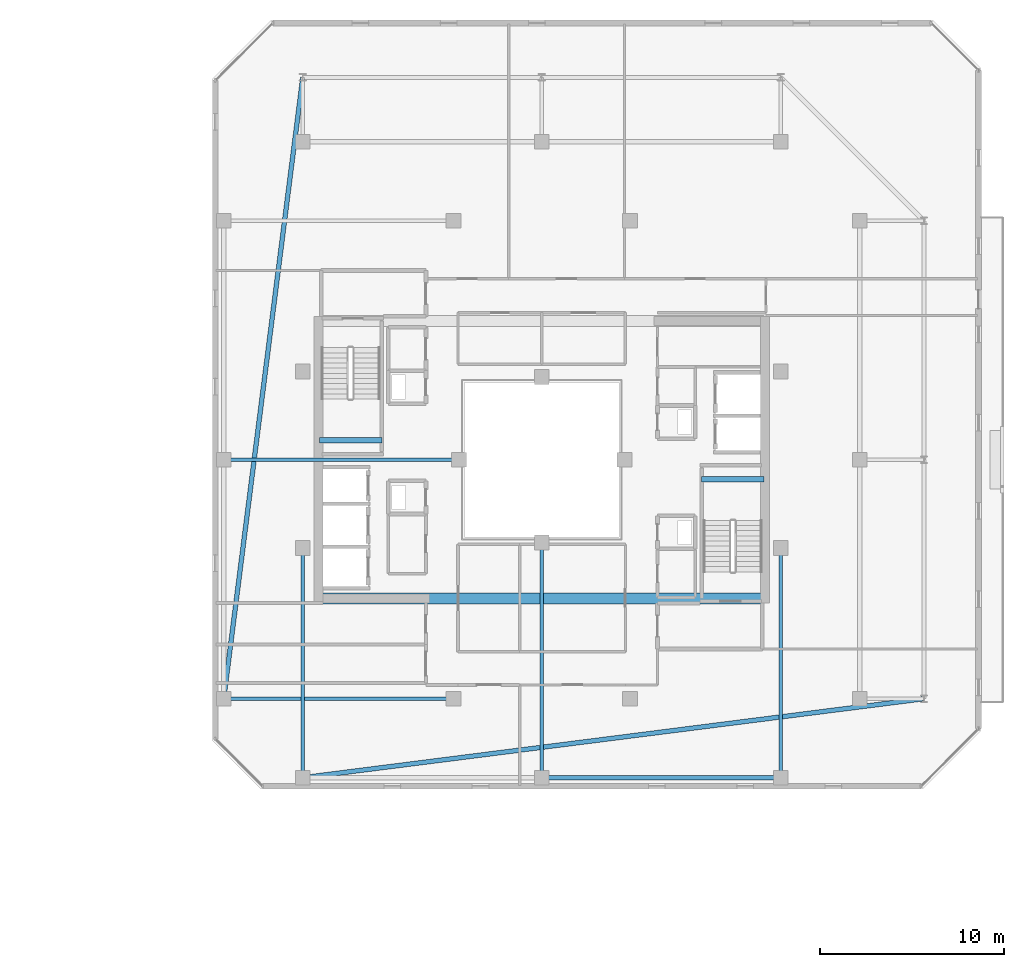
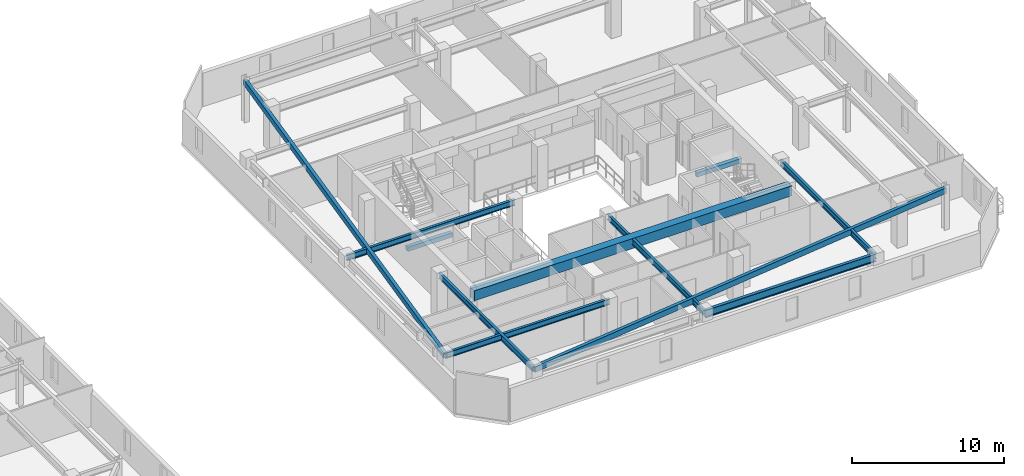
# One storey, part 15 of 35: 11 beams.
"""IFC4 building model written with IfcOpenShell, lengths in metres."""

from ifc_helpers import new_model, si_unit, direction, frame, origin, origin_2d, place, context, subcontext, project, spatial, rectangle, hollow_rectangle, i_section, extrude, material, material_profile, profile_set, type_object, element, save


model = new_model("IFC4")

# Units and contexts
model_context = context("Model", 3, precision=1e-05, world=origin(), true_north=direction((0.0, 1.0)))
body_context = subcontext(model_context, "Body", "Model", "MODEL_VIEW")
ifc_project = project(units=[si_unit("LENGTHUNIT", "METRE"), si_unit("AREAUNIT", "SQUARE_METRE"), si_unit("VOLUMEUNIT", "CUBIC_METRE"), si_unit("PLANEANGLEUNIT", "RADIAN"), si_unit("MASSUNIT", "GRAM", prefix="KILO")], contexts=[model_context])

# Site, building, storey
site_placement = place(None, origin())
site = spatial("IfcSite", under=ifc_project, at=site_placement, CompositionType="ELEMENT")
building_placement = place(site_placement, origin())
building = spatial("IfcBuilding", under=site, at=building_placement, Name="Thornwick Lancets Civic Towers", CompositionType="ELEMENT")
storey_placement = place(building_placement, frame((0.0, 0.0, 269.10009765625)))
storey = spatial("IfcBuildingStorey", under=building, at=storey_placement, Name="L72", CompositionType="ELEMENT", Elevation=269.10009765625)

# Beams
ifc_material_1 = material(Name="Concrete C60/75", Category="concrete")
ifc_material_profile_1 = material_profile(ifc_material_1, rectangle(XDim=0.60009765625, YDim=0.800048828125, at=origin_2d()), Name="RC 600x800")
ifc_profile_set_1 = profile_set([ifc_material_profile_1], Name="Concrete C60/75")
beam_type_1 = type_object("IfcBeamType", Name="BM_COUP_RC800", PredefinedType="BEAM", material=ifc_profile_set_1)
beam_1_placement = place(storey_placement, frame((76.39990234375, 19.449951171875, 2.9599609375), z_axis=(1.0, 0.0, 0.0), x_axis=(0.0, 1.0, 0.0)))
element("IfcBeam", 1, at=beam_1_placement, inside=storey, type_object=beam_type_1, Name="CB-L72-B2", PredefinedType="BEAM", context=body_context, shape_type="SweptSolid", body=[
    extrude(rectangle(XDim=0.60009765625, YDim=0.800048828125, at=origin_2d()), origin(), (0.0, 0.0, 1.0), 24.2001953125),
])
ifc_material_2 = material(Name="Steel S355JR", Category="steel")
ifc_material_profile_2 = material_profile(ifc_material_2, i_section(OverallWidth=0.230224609375, OverallDepth=0.6171875, WebThickness=0.01318359375, FlangeThickness=0.022216796875, FilletRadius=0.0126953125, at=origin_2d()), Name="UKB 610x229x140")
ifc_profile_set_2 = profile_set([ifc_material_profile_2], Name="Steel S355JR")
beam_type_2 = type_object("IfcBeamType", Name="BM_GIRD_610_140", PredefinedType="BEAM", material=ifc_profile_set_2)
beam_2_placement = place(storey_placement, frame((101.5, 9.699951171875, 3.05126953125), z_axis=(-1.0, 0.0, 0.0), x_axis=(0.0, -1.0, 0.0)))
element("IfcBeam", 2, at=beam_2_placement, inside=storey, type_object=beam_type_2, Name="BM-SPINE-L72-B-9-10", PredefinedType="BEAM", context=body_context, shape_type="SweptSolid", body=[
    extrude(i_section(OverallWidth=0.230224609375, OverallDepth=0.6171875, WebThickness=0.01318359375, FlangeThickness=0.022216796875, FilletRadius=0.0126953125, at=origin_2d()), origin(), (0.0, 0.0, 1.0), 13.0),
])
ifc_material_profile_3 = material_profile(ifc_material_2, i_section(OverallWidth=0.19287109375, OverallDepth=0.46728515625, WebThickness=0.011474609375, FlangeThickness=0.01953125, FilletRadius=0.01025390625, at=origin_2d()), Name="UKB 457x191x98")
ifc_profile_set_3 = profile_set([ifc_material_profile_3], Name="Steel S355JR")
beam_type_3 = type_object("IfcBeamType", Name="BM_JOIST_457_98", PredefinedType="JOIST", material=ifc_profile_set_3)
beam_3_placement = place(storey_placement, frame((83.699951171875, 14.0, 3.126220703125), z_axis=(-1.0, 0.0, 0.0), x_axis=(0.0, -1.0, 0.0)))
element("IfcBeam", 3, at=beam_3_placement, inside=storey, type_object=beam_type_3, Name="BM-RADIN-L72-B07", PredefinedType="JOIST", context=body_context, shape_type="SweptSolid", body=[
    extrude(i_section(OverallWidth=0.19287109375, OverallDepth=0.46728515625, WebThickness=0.011474609375, FlangeThickness=0.01953125, FilletRadius=0.01025390625, at=origin_2d()), origin(), (0.0, 0.0, 1.0), 12.5),
])
beam_4_placement = place(storey_placement, frame((84.0, 27.0, 3.126220703125), z_axis=(-1.0, 0.0, 0.0), x_axis=(0.0, -1.0, 0.0)))
element("IfcBeam", 4, at=beam_4_placement, inside=storey, type_object=beam_type_3, Name="BM-RADIN-L72-B08", PredefinedType="JOIST", context=body_context, shape_type="SweptSolid", body=[
    extrude(i_section(OverallWidth=0.19287109375, OverallDepth=0.46728515625, WebThickness=0.011474609375, FlangeThickness=0.01953125, FilletRadius=0.01025390625, at=origin_2d()), origin(), (0.0, 0.0, 1.0), 12.800048828125),
])
beam_5_placement = place(storey_placement, frame((101.5, 22.199951171875, 3.126220703125), z_axis=(0.0, -1.0, 0.0), x_axis=(1.0, 0.0, 0.0)))
element("IfcBeam", 5, at=beam_5_placement, inside=storey, type_object=beam_type_3, Name="BM-RADIN-L72-B10", PredefinedType="JOIST", context=body_context, shape_type="SweptSolid", body=[
    extrude(i_section(OverallWidth=0.19287109375, OverallDepth=0.46728515625, WebThickness=0.011474609375, FlangeThickness=0.01953125, FilletRadius=0.01025390625, at=origin_2d()), origin(), (0.0, 0.0, 1.0), 12.5),
])
beam_6_placement = place(storey_placement, frame((88.5, 22.5, 3.126220703125), z_axis=(0.0, -1.0, 0.0), x_axis=(1.0, 0.0, 0.0)))
element("IfcBeam", 6, at=beam_6_placement, inside=storey, type_object=beam_type_3, Name="BM-RADIN-L72-B11", PredefinedType="JOIST", context=body_context, shape_type="SweptSolid", body=[
    extrude(i_section(OverallWidth=0.19287109375, OverallDepth=0.46728515625, WebThickness=0.011474609375, FlangeThickness=0.01953125, FilletRadius=0.01025390625, at=origin_2d()), origin(), (0.0, 0.0, 1.0), 12.800048828125),
])
beam_7_placement = place(storey_placement, frame((75.5, 22.199951171875, 3.126220703125), z_axis=(0.0, -1.0, 0.0), x_axis=(1.0, 0.0, 0.0)))
element("IfcBeam", 7, at=beam_7_placement, inside=storey, type_object=beam_type_3, Name="BM-RADIN-L72-B12", PredefinedType="JOIST", context=body_context, shape_type="SweptSolid", body=[
    extrude(i_section(OverallWidth=0.19287109375, OverallDepth=0.46728515625, WebThickness=0.011474609375, FlangeThickness=0.01953125, FilletRadius=0.01025390625, at=origin_2d()), origin(), (0.0, 0.0, 1.0), 12.5),
])
ifc_material_profile_4 = material_profile(ifc_material_2, hollow_rectangle(XDim=0.25, YDim=0.449951171875, WallThickness=0.01611328125, at=origin_2d()), Name="RHS 450x250x16")
ifc_profile_set_4 = profile_set([ifc_material_profile_4], Name="Steel S355JR")
beam_type_4 = type_object("IfcBeamType", Name="BM_RING_RHS450", PredefinedType="BEAM", material=ifc_profile_set_4)
for number, where, z_axis, x_axis, name in (
    (8, (75.5, 47.800048828125, 3.135009765625), (-0.126202998662, -0.992004437051, 0.0), (0.992004437051, -0.126202998662, 0.0), "BM-CHAMF-L72-B-C1"),
    (9, (75.5, 9.699951171875, 3.135009765625), (0.992004437051, 0.126202998662, 0.0), (-0.126202998662, 0.992004437051, 0.0), "BM-CHAMF-L72-B-C3"),
):
    element("IfcBeam", number, at=place(storey_placement, frame(where, z_axis=z_axis, x_axis=x_axis)), inside=storey, type_object=beam_type_4, Name=name, PredefinedType="BEAM", context=body_context, shape_type="SweptSolid", body=[
        extrude(hollow_rectangle(XDim=0.25, YDim=0.449951171875, WallThickness=0.01611328125, at=origin_2d()), origin(), (0.0, 0.0, 1.0), 34.072509765625),
    ])
ifc_material_3 = material(Name="Concrete C40/50", Category="concrete")
ifc_material_profile_5 = material_profile(ifc_material_3, rectangle(XDim=0.300048828125, YDim=0.35009765625, at=origin_2d()), Name="RC 300x350")
ifc_profile_set_5 = profile_set([ifc_material_profile_5], Name="Concrete C40/50")
beam_type_5 = type_object("IfcBeamType", Name="BM_STAIR_LDG", PredefinedType="BEAM", material=ifc_profile_set_5)
for number, where, z_axis, x_axis, name in (
    (10, (100.60009765625, 25.93505859375, 1.3779296875), (-1.0, 0.0, 0.0), (0.0, -1.0, 0.0), "L72 ST-B1 Landing Support Beam 1"),
    (11, (76.39990234375, 28.06494140625, 1.3779296875), (1.0, 0.0, 0.0), (0.0, 1.0, 0.0), "L72 ST-B2 Landing Support Beam 1"),
):
    element("IfcBeam", number, at=place(storey_placement, frame(where, z_axis=z_axis, x_axis=x_axis)), inside=storey, type_object=beam_type_5, Name=name, PredefinedType="BEAM", context=body_context, shape_type="SweptSolid", body=[
        extrude(rectangle(XDim=0.300048828125, YDim=0.35009765625, at=origin_2d()), origin(), (0.0, 0.0, 1.0), 3.400146484375),
    ])

save(model, "model.ifc")
